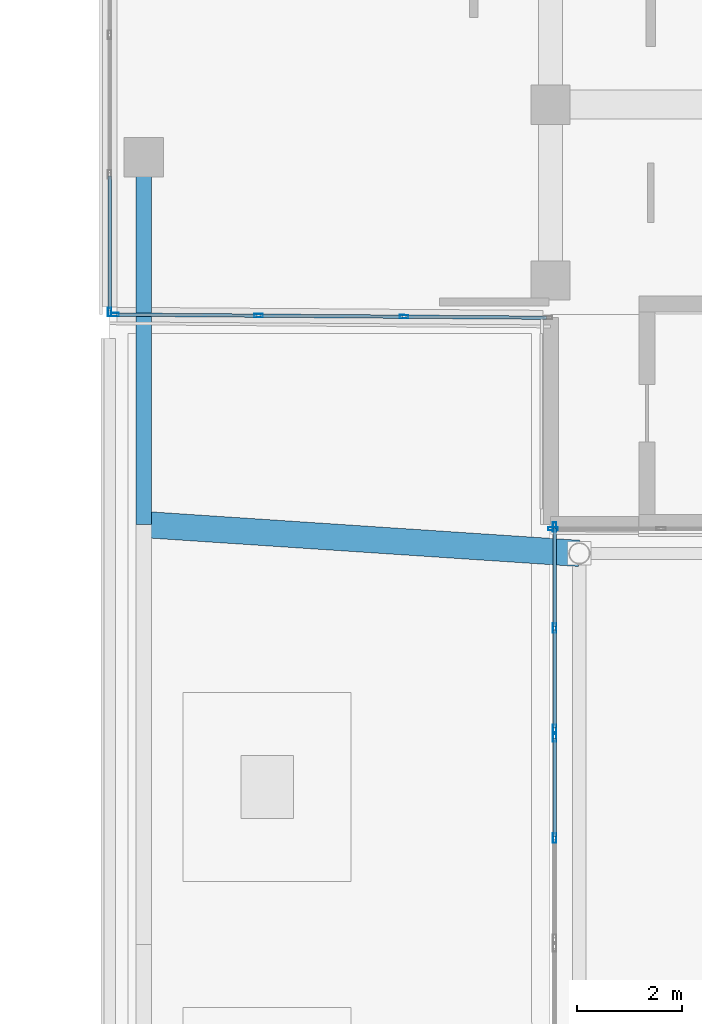
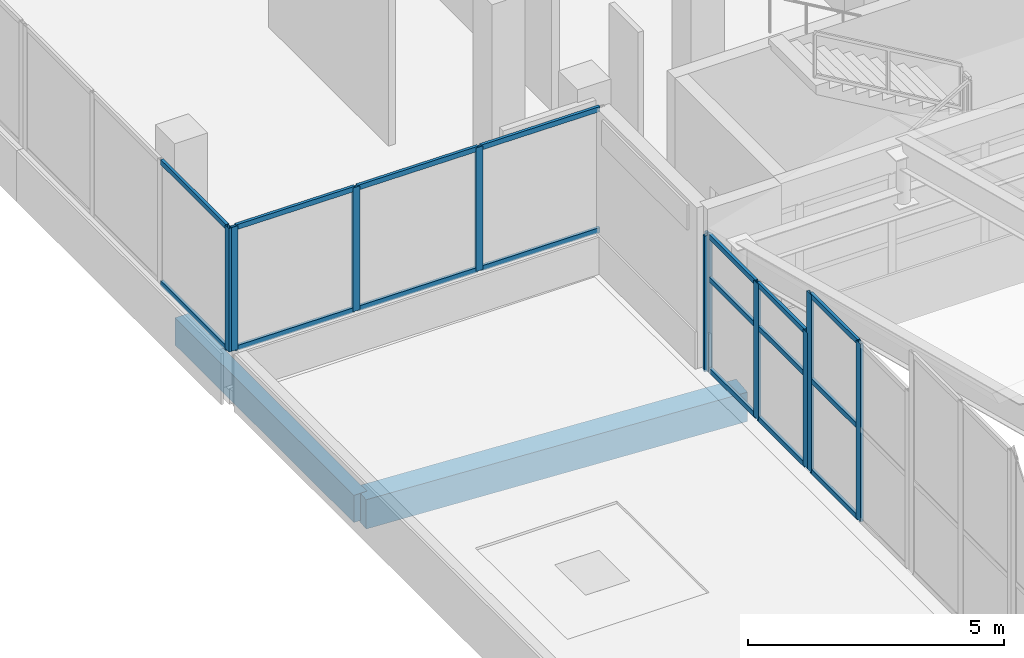
# One storey, part 75 of 184: 27 members, 2 beams, 5 elements without a shape of their own.
"""IFC4 building model written with IfcOpenShell, lengths in metres."""

import ifcopenshell
import ifcopenshell.guid

model = None  # the IFC model being written
_history = None  # IfcOwnerHistory: only IFC2X3 demands one
_inside = {}  # id of a spatial element -> (the spatial element, [elements in it])
_under = {}  # id of a project, library or spatial element -> (it, [spatial elements below it])
_declared = {}  # id of a project -> (the project, [libraries it declares])
_typed = {}  # id of a type object -> (the type object, [elements of that type])
_made_of = {}  # id of a material, layer set ... -> (it, [elements and type objects made of it])


def new_model(schema):
    """Start an empty IFC model of exactly this schema.

    Asked for "IFC4X3", IfcOpenShell would pick the latest addendum, in which some entities
    have other attributes; the version numbers below select the first issue.
    IFC2X3 requires an IfcOwnerHistory on every rooted entity: one is made here for all.
    """
    global model, _history
    if schema == "IFC4X3":
        model = ifcopenshell.file(schema_version=(4, 3, 0, 0))
    else:
        model = ifcopenshell.file(schema=schema)
    _inside.clear()
    _under.clear()
    _declared.clear()
    _typed.clear()
    _made_of.clear()
    _history = None
    if model.schema == "IFC2X3":
        org = make("IfcOrganization", Name="unknown")
        user = make(
            "IfcPersonAndOrganization",
            ThePerson=make("IfcPerson", FamilyName="unknown"),
            TheOrganization=org,
        )
        app = make(
            "IfcApplication",
            ApplicationDeveloper=org,
            Version="unknown",
            ApplicationFullName="unknown",
            ApplicationIdentifier="unknown",
        )
        _history = make(
            "IfcOwnerHistory",
            OwningUser=user,
            OwningApplication=app,
            ChangeAction="ADDED",
            CreationDate=0,
        )
    return model


def make(cls, **values):
    """One entity of the class cls with the attributes given. An attribute that is None is left unset."""
    return model.create_entity(
        cls, **{name: value for name, value in values.items() if value is not None}
    )


def rooted(cls, **values):
    """An entity with a GlobalId (a new one), such as an element, a storey or a relation."""
    return make(cls, GlobalId=ifcopenshell.guid.new(), OwnerHistory=_history, **values)


def si_unit(unit_type, name, prefix=None):
    """IfcSIUnit, for example si_unit("LENGTHUNIT", "METRE", prefix="MILLI")."""
    return make("IfcSIUnit", UnitType=unit_type, Prefix=prefix, Name=name)


def assignment(units):
    """IfcUnitAssignment: the units of a project."""
    return None if units is None else make("IfcUnitAssignment", Units=units)


def point(xyz):
    """IfcCartesianPoint."""
    return None if xyz is None else make("IfcCartesianPoint", Coordinates=xyz)


def direction(xyz):
    """IfcDirection."""
    return None if xyz is None else make("IfcDirection", DirectionRatios=xyz)


def frame(location, z_axis=None, x_axis=None):
    """IfcAxis2Placement3D, a coordinate frame: its origin and axes. An axis left out is left unset."""
    return make(
        "IfcAxis2Placement3D",
        Location=point(location),
        Axis=direction(z_axis),
        RefDirection=direction(x_axis),
    )


def frame_2d(location, x_axis=None):
    """IfcAxis2Placement2D, a coordinate frame in the plane: its origin and x axis."""
    return make(
        "IfcAxis2Placement2D", Location=point(location), RefDirection=direction(x_axis)
    )


def origin():
    """The frame at (0, 0, 0) with its axes left unset."""
    return frame((0.0, 0.0, 0.0))


def origin_2d():
    """The frame at (0, 0) in the plane with its x axis left unset."""
    return frame_2d((0.0, 0.0))


def place(relative_to, where):
    """IfcLocalPlacement: puts the frame where relative to a parent placement (None: the world)."""
    return make(
        "IfcLocalPlacement", PlacementRelTo=relative_to, RelativePlacement=where
    )


def context(
    kind, dimensions, precision=None, world=None, true_north=None, identifier=None
):
    """IfcGeometricRepresentationContext, for example the 3D "Model" context."""
    return make(
        "IfcGeometricRepresentationContext",
        ContextIdentifier=identifier,
        ContextType=kind,
        CoordinateSpaceDimension=dimensions,
        Precision=precision,
        WorldCoordinateSystem=world,
        TrueNorth=true_north,
    )


def subcontext(parent, identifier, kind, view, scale=None):
    """IfcGeometricRepresentationSubContext, for example "Body" below "Model"."""
    return make(
        "IfcGeometricRepresentationSubContext",
        ContextIdentifier=identifier,
        ContextType=kind,
        ParentContext=parent,
        TargetScale=scale,
        TargetView=view,
    )


def project(units=None, contexts=None):
    """IfcProject with its units and contexts."""
    return rooted(
        "IfcProject",
        Name="project",
        RepresentationContexts=contexts,
        UnitsInContext=assignment(units),
    )


def spatial(cls, under=None, at=None, **own):
    """A site, building, storey or space (cls), placed at a placement, below another one or the project."""
    s = rooted(cls, ObjectPlacement=at, **own)
    if under is not None:
        _under.setdefault(under.id(), (under, []))[1].append(s)
    return s


def profile(cls, at=None, kind="AREA", **sizes):
    """A parametric profile (cls). Its sizes go by their IFC names, for example OverallWidth=200.0."""
    return make(cls, ProfileType=kind, Position=at, **sizes)


def rectangle(**sizes):
    """IfcRectangleProfileDef."""
    return profile("IfcRectangleProfileDef", **sizes)


def hollow_rectangle(**sizes):
    """IfcRectangleHollowProfileDef."""
    return profile("IfcRectangleHollowProfileDef", **sizes)


def extrude(swept, where, along, depth):
    """IfcExtrudedAreaSolid: the profile swept, set in the frame where, extruded along a direction by depth."""
    return make(
        "IfcExtrudedAreaSolid",
        SweptArea=swept,
        Position=where,
        ExtrudedDirection=direction(along),
        Depth=depth,
    )


def shape(context_of_items, identifier, shape_type, items):
    """IfcShapeRepresentation: the items that make up one representation, for example the "Body"."""
    return make(
        "IfcShapeRepresentation",
        ContextOfItems=context_of_items,
        RepresentationIdentifier=identifier,
        RepresentationType=shape_type,
        Items=items,
    )


def material(Name=None, Category=None):
    """IfcMaterial."""
    return make("IfcMaterial", Name=Name, Category=Category)


def material_profile(
    of_material, cross_section, Name=None, Category=None, Priority=None
):
    """IfcMaterialProfile: a cross section and its material."""
    return make(
        "IfcMaterialProfile",
        Name=Name,
        Material=of_material,
        Profile=cross_section,
        Priority=Priority,
        Category=Category,
    )


def profile_set(profiles, Name=None, composite=None):
    """IfcMaterialProfileSet."""
    return make(
        "IfcMaterialProfileSet",
        Name=Name,
        MaterialProfiles=profiles,
        CompositeProfile=composite,
    )


def made_of(thing, what):
    """Note that an element or type object is made of a material, layer set ...; save() writes the relation."""
    if what is not None:
        _made_of.setdefault(what.id(), (what, []))[1].append(thing)
    return thing


def type_object(cls, material=None, **own):
    """A type object (cls), such as IfcWallType, which elements share."""
    return made_of(rooted(cls, **own), material)


def element(
    cls,
    number,
    at=None,
    inside=None,
    cuts=None,
    type_object=None,
    material=None,
    context=None,
    identifier="Body",
    shape_type=None,
    held_by="IfcProductDefinitionShape",
    body=None,
    shapes=None,
    **own,
):
    """One element of the class cls, such as IfcWall. Its Tag is "e" and its number.

    at: its placement. inside: the storey or other place that contains it. cuts: it is an
    opening in that element (IfcRelVoidsElement). A single representation is given by context,
    identifier, shape_type and body (its items); several are given by shapes. held_by: the class
    of the entity that holds the representations. save() writes the other relations.
    """
    e = rooted(cls, Tag="e%d" % number, ObjectPlacement=at, **own)
    if body is not None:
        shapes = [shape(context, identifier, shape_type, body)]
    if shapes is not None:
        e.Representation = make(held_by, Representations=shapes)
    if inside is not None:
        _inside.setdefault(inside.id(), (inside, []))[1].append(e)
    if cuts is not None:
        rooted(
            "IfcRelVoidsElement", RelatingBuildingElement=cuts, RelatedOpeningElement=e
        )
    if type_object is not None:
        _typed.setdefault(type_object.id(), (type_object, []))[1].append(e)
    return made_of(e, material)


def aggregate(whole, parts):
    """IfcRelAggregates: a whole, such as a stair, and the parts it consists of."""
    return rooted("IfcRelAggregates", RelatingObject=whole, RelatedObjects=parts)


def save(model, path):
    """Write the relations noted so far, then the file.

    IfcRelAggregates (storeys below a building ...), IfcRelContainedInSpatialStructure (elements
    in a storey), IfcRelDefinesByType, IfcRelAssociatesMaterial and IfcRelDeclares: one each for
    every whole, place, type object, material and project.
    """
    for whole, parts in _under.values():
        aggregate(whole, parts)
    for where, things in _inside.values():
        rooted(
            "IfcRelContainedInSpatialStructure",
            RelatedElements=things,
            RelatingStructure=where,
        )
    for kind, things in _typed.values():
        rooted("IfcRelDefinesByType", RelatedObjects=things, RelatingType=kind)
    for what, things in _made_of.values():
        rooted("IfcRelAssociatesMaterial", RelatedObjects=things, RelatingMaterial=what)
    for by, libraries in _declared.values():
        rooted("IfcRelDeclares", RelatingContext=by, RelatedDefinitions=libraries)
    model.write(path)


model = new_model("IFC4")

# Units and contexts
model_context = context("Model", 3, precision=1e-05, world=origin(), true_north=direction((0.0, 1.0)))
body_context = subcontext(model_context, "Body", "Model", "MODEL_VIEW")
ifc_project = project(units=[si_unit("LENGTHUNIT", "METRE"), si_unit("AREAUNIT", "SQUARE_METRE"), si_unit("VOLUMEUNIT", "CUBIC_METRE"), si_unit("PLANEANGLEUNIT", "RADIAN"), si_unit("MASSUNIT", "GRAM", prefix="KILO")], contexts=[model_context])

# Site, building, storey
site_placement = place(None, origin())
site = spatial("IfcSite", under=ifc_project, at=site_placement, CompositionType="ELEMENT")
building_placement = place(site_placement, origin())
building = spatial("IfcBuilding", under=site, at=building_placement, Name="Selatvlak General Hospital", CompositionType="ELEMENT")
storey_placement = place(building_placement, frame((0.0, 0.0, 15.0)))
storey = spatial("IfcBuildingStorey", under=building, at=storey_placement, Name="L03", CompositionType="ELEMENT", Elevation=15.0)

# Beams
ifc_material_1 = material(Name="Concrete C40/50", Category="concrete")
ifc_material_profile_1 = material_profile(ifc_material_1, rectangle(XDim=0.5, YDim=0.699951171875, at=origin_2d()), Name="RC-BM 500x700")
ifc_profile_set_1 = profile_set([ifc_material_profile_1], Name="Concrete C40/50")
beam_type_1 = type_object("IfcBeamType", Name="BM-G03", PredefinedType="BEAM", material=ifc_profile_set_1)
beam_1_placement = place(storey_placement, frame((15.050048828125, 84.0, -0.610107421875), z_axis=(0.997811313434, -0.066125507814, 0.0), x_axis=(0.066125507814, 0.997811313434, 0.0)))
element("IfcBeam", 1, at=beam_1_placement, inside=storey, type_object=beam_type_1, Name="Beam BMR-L03-2911", PredefinedType="BEAM", context=body_context, shape_type="SweptSolid", body=[
    extrude(rectangle(XDim=0.5, YDim=0.699951171875, at=origin_2d()), origin(), (0.0, 0.0, 1.0), 8.318359375),
])
ifc_material_profile_2 = material_profile(ifc_material_1, rectangle(XDim=0.300048828125, YDim=0.64990234375, at=origin_2d()), Name="RC-SP 300x650")
ifc_profile_set_2 = profile_set([ifc_material_profile_2], Name="Concrete C40/50")
beam_type_2 = type_object("IfcBeamType", Name="BM-SP1", PredefinedType="SPANDREL", material=ifc_profile_set_2)
beam_2_placement = place(storey_placement, frame((15.050048828125, 84.0, -0.5849609375), z_axis=(0.0, 1.0, 0.0), x_axis=(-1.0, 0.0, 0.0)))
element("IfcBeam", 2, at=beam_2_placement, inside=storey, type_object=beam_type_2, Name="Beam BMR-L03-1295", PredefinedType="SPANDREL", context=body_context, shape_type="SweptSolid", body=[
    extrude(rectangle(XDim=0.300048828125, YDim=0.64990234375, at=origin_2d()), origin(), (0.0, 0.0, 1.0), 7.0),
])

# Curtain wall, member
ifc_material_2 = material(Name="Solar-control Low-E double glazing", Category="glass")
curtain_wall_type_1 = type_object("IfcCurtainWallType", Name="CW-CW-01", PredefinedType="USERDEFINED", material=ifc_material_2)
curtain_wall_1_placement = place(storey_placement, origin())
curtain_wall_1 = element("IfcCurtainWall", 3, at=curtain_wall_1_placement, inside=storey, type_object=curtain_wall_type_1, Name="Glazed facade curtain wall CW-L03-0360", ObjectType="UNITISED CURTAIN WALL", PredefinedType="USERDEFINED")
ifc_material_3 = material(Name="Dark anodised aluminium mullion", Category="aluminium")
ifc_material_profile_3 = material_profile(ifc_material_3, hollow_rectangle(XDim=0.06494140625, YDim=0.159912109375, WallThickness=0.00390625, at=origin_2d()), Name="AL-MUL 65x160x4")
ifc_profile_set_3 = profile_set([ifc_material_profile_3], Name="Dark anodised aluminium mullion")
member_type_1 = type_object("IfcMemberType", Name="CWM-01", PredefinedType="MULLION", material=ifc_profile_set_3)
member_1_placement = place(storey_placement, frame((14.39990234375, 88.047607421875, 0.93994140625), z_axis=(0.0, 0.0, 1.0), x_axis=(-1.0, 0.0, 0.0)))
member_1 = element("IfcMember", 4, at=member_1_placement, type_object=member_type_1, Name="CW-01 mullion 1", PredefinedType="MULLION", context=body_context, shape_type="SweptSolid", body=[
    extrude(hollow_rectangle(XDim=0.06494140625, YDim=0.159912109375, WallThickness=0.00390625, at=origin_2d()), origin(), (0.0, 0.0, 1.0), 2.955078125),
])

# Curtain wall, members
curtain_wall_2_placement = place(storey_placement, origin())
curtain_wall_2 = element("IfcCurtainWall", 5, at=curtain_wall_2_placement, inside=storey, type_object=curtain_wall_type_1, Name="Glazed facade curtain wall CW-L03-0475", ObjectType="UNITISED CURTAIN WALL", PredefinedType="USERDEFINED")
member_2_placement = place(storey_placement, frame((20.01171875, 87.9599609375, 0.93994140625), z_axis=(0.0, 0.0, 1.0), x_axis=(-0.007211350946, -0.999973997871, 0.0)))
member_2 = element("IfcMember", 6, at=member_2_placement, type_object=member_type_1, Name="CW-01 mullion 2", PredefinedType="MULLION", context=body_context, shape_type="SweptSolid", body=[
    extrude(hollow_rectangle(XDim=0.06494140625, YDim=0.159912109375, WallThickness=0.00390625, at=origin_2d()), origin(), (0.0, 0.0, 1.0), 2.955078125),
])
member_3_placement = place(storey_placement, frame((17.23828125, 87.97998046875, 0.93994140625), z_axis=(0.0, 0.0, 1.0), x_axis=(-0.007211350946, -0.999973997871, 0.0)))
member_3 = element("IfcMember", 7, at=member_3_placement, type_object=member_type_1, Name="CW-01 mullion 3", PredefinedType="MULLION", context=body_context, shape_type="SweptSolid", body=[
    extrude(hollow_rectangle(XDim=0.06494140625, YDim=0.159912109375, WallThickness=0.00390625, at=origin_2d()), origin(), (0.0, 0.0, 1.0), 2.955078125),
])
member_4_placement = place(storey_placement, frame((14.49755859375, 87.999755859375, 0.93994140625), z_axis=(0.0, 0.0, 1.0), x_axis=(-0.007211350946, -0.999973997871, 0.0)))
member_4 = element("IfcMember", 8, at=member_4_placement, type_object=member_type_1, Name="CW-01 mullion 4", PredefinedType="MULLION", context=body_context, shape_type="SweptSolid", body=[
    extrude(hollow_rectangle(XDim=0.06494140625, YDim=0.159912109375, WallThickness=0.00390625, at=origin_2d()), origin(), (0.0, 0.0, 1.0), 2.955078125),
])

# Curtain wall, member
curtain_wall_type_2 = type_object("IfcCurtainWallType", Name="CW-CW-04", PredefinedType="USERDEFINED", material=ifc_material_2)
curtain_wall_3_placement = place(storey_placement, origin())
curtain_wall_3 = element("IfcCurtainWall", 9, at=curtain_wall_3_placement, inside=storey, type_object=curtain_wall_type_2, Name="Glazed facade curtain wall CW-L03-0716", ObjectType="STICK GLAZING WALL", PredefinedType="USERDEFINED")
ifc_material_profile_4 = material_profile(ifc_material_3, hollow_rectangle(XDim=0.06494140625, YDim=0.179931640625, WallThickness=0.00439453125, at=origin_2d()), Name="AL-MUL 65x180x4.5")
ifc_profile_set_4 = profile_set([ifc_material_profile_4], Name="Dark anodised aluminium mullion")
member_type_2 = type_object("IfcMemberType", Name="CWM-02", PredefinedType="MULLION", material=ifc_profile_set_4)
member_5_placement = place(storey_placement, frame((22.847412109375, 83.919921875, 0.0), z_axis=(0.0, 0.0, 1.0), x_axis=(0.0, 1.0, 0.0)))
member_5 = element("IfcMember", 10, at=member_5_placement, type_object=member_type_2, Name="CW-04 mullion 1", PredefinedType="MULLION", context=body_context, shape_type="SweptSolid", body=[
    extrude(hollow_rectangle(XDim=0.06494140625, YDim=0.179931640625, WallThickness=0.00439453125, at=origin_2d()), origin(), (0.0, 0.0, 1.0), 3.25),
])
aggregate(curtain_wall_3, [member_5])

# Curtain wall, members
curtain_wall_type_3 = type_object("IfcCurtainWallType", Name="CW-CW-05", PredefinedType="USERDEFINED", material=ifc_material_2)
curtain_wall_4_placement = place(storey_placement, origin())
curtain_wall_4 = element("IfcCurtainWall", 11, at=curtain_wall_4_placement, inside=storey, type_object=curtain_wall_type_3, Name="Glazed facade curtain wall CW-L03-0728", ObjectType="STICK GLAZING WALL", PredefinedType="USERDEFINED")
member_6_placement = place(storey_placement, frame((22.8798828125, 78.02490234375, 0.0), z_axis=(0.0, 0.0, 1.0), x_axis=(-1.0, 0.0, 0.0)))
member_6 = element("IfcMember", 12, at=member_6_placement, type_object=member_type_2, Name="CW-05 mullion 2", PredefinedType="MULLION", context=body_context, shape_type="SweptSolid", body=[
    extrude(hollow_rectangle(XDim=0.06494140625, YDim=0.179931640625, WallThickness=0.00439453125, at=origin_2d()), origin(), (0.0, 0.0, 1.0), 4.25),
])
member_7_placement = place(storey_placement, frame((22.8798828125, 79.952392578125, 0.0), z_axis=(0.0, 0.0, 1.0), x_axis=(-1.0, 0.0, 0.0)))
member_7 = element("IfcMember", 13, at=member_7_placement, type_object=member_type_2, Name="CW-05 mullion 3", PredefinedType="MULLION", context=body_context, shape_type="SweptSolid", body=[
    extrude(hollow_rectangle(XDim=0.06494140625, YDim=0.179931640625, WallThickness=0.00439453125, at=origin_2d()), origin(), (0.0, 0.0, 1.0), 4.25),
])

curtain_wall_5_placement = place(storey_placement, origin())
curtain_wall_5 = element("IfcCurtainWall", 14, at=curtain_wall_5_placement, inside=storey, type_object=curtain_wall_type_3, Name="Glazed facade curtain wall CW-L03-0729", ObjectType="STICK GLAZING WALL", PredefinedType="USERDEFINED")
member_8_placement = place(storey_placement, frame((22.8798828125, 80.097412109375, 0.0), z_axis=(0.0, 0.0, 1.0), x_axis=(-1.0, 0.0, 0.0)))
member_8 = element("IfcMember", 15, at=member_8_placement, type_object=member_type_2, Name="CW-05 mullion 1", PredefinedType="MULLION", context=body_context, shape_type="SweptSolid", body=[
    extrude(hollow_rectangle(XDim=0.06494140625, YDim=0.179931640625, WallThickness=0.00439453125, at=origin_2d()), origin(), (0.0, 0.0, 1.0), 3.25),
])
member_9_placement = place(storey_placement, frame((22.8798828125, 82.02490234375, 0.0), z_axis=(0.0, 0.0, 1.0), x_axis=(-1.0, 0.0, 0.0)))
member_9 = element("IfcMember", 16, at=member_9_placement, type_object=member_type_2, Name="CW-05 mullion 2", PredefinedType="MULLION", context=body_context, shape_type="SweptSolid", body=[
    extrude(hollow_rectangle(XDim=0.06494140625, YDim=0.179931640625, WallThickness=0.00439453125, at=origin_2d()), origin(), (0.0, 0.0, 1.0), 3.25),
])
member_10_placement = place(storey_placement, frame((22.8798828125, 83.952392578125, 0.0), z_axis=(0.0, 0.0, 1.0), x_axis=(-1.0, 0.0, 0.0)))
member_10 = element("IfcMember", 17, at=member_10_placement, type_object=member_type_2, Name="CW-05 mullion 3", PredefinedType="MULLION", context=body_context, shape_type="SweptSolid", body=[
    extrude(hollow_rectangle(XDim=0.06494140625, YDim=0.179931640625, WallThickness=0.00439453125, at=origin_2d()), origin(), (0.0, 0.0, 1.0), 3.25),
])

# Member
ifc_material_profile_5 = material_profile(ifc_material_3, hollow_rectangle(XDim=0.06494140625, YDim=0.1201171875, WallThickness=0.00390625, at=origin_2d()), Name="AL-TRN 65x120x4")
ifc_profile_set_5 = profile_set([ifc_material_profile_5], Name="Dark anodised aluminium mullion")
member_type_3 = type_object("IfcMemberType", Name="CWT-01", PredefinedType="USERDEFINED", material=ifc_profile_set_5)
member_11_placement = place(storey_placement, frame((14.39990234375, 88.080078125, 0.972412109375), z_axis=(0.0, 1.0, 0.0), x_axis=(-1.0, 0.0, 0.0)))
member_11 = element("IfcMember", 18, at=member_11_placement, type_object=member_type_3, Name="CW-01 transom 1.1", ObjectType="TRANSOM", PredefinedType="USERDEFINED", context=body_context, shape_type="SweptSolid", body=[
    extrude(hollow_rectangle(XDim=0.06494140625, YDim=0.1201171875, WallThickness=0.00390625, at=origin_2d()), origin(), (0.0, 0.0, 1.0), 2.55908203125),
])

member_12_placement = place(storey_placement, frame((14.39990234375, 88.080078125, 3.862548828125), z_axis=(0.0, 1.0, 0.0), x_axis=(-1.0, 0.0, 0.0)))
member_12 = element("IfcMember", 19, at=member_12_placement, type_object=member_type_3, Name="CW-01 transom 1.2", ObjectType="TRANSOM", PredefinedType="USERDEFINED", context=body_context, shape_type="SweptSolid", body=[
    extrude(hollow_rectangle(XDim=0.06494140625, YDim=0.1201171875, WallThickness=0.00390625, at=origin_2d()), origin(), (0.0, 0.0, 1.0), 2.55908203125),
])

aggregate(curtain_wall_1, [member_1, member_11, member_12])

member_13_placement = place(storey_placement, frame((22.719970703125, 87.9404296875, 0.972412109375), z_axis=(-0.99997402317, 0.007207841955, 0.0), x_axis=(-0.007207841955, -0.99997402317, 0.0)))
member_13 = element("IfcMember", 20, at=member_13_placement, type_object=member_type_3, Name="CW-01 transom 1.1", ObjectType="TRANSOM", PredefinedType="USERDEFINED", context=body_context, shape_type="SweptSolid", body=[
    extrude(hollow_rectangle(XDim=0.06494140625, YDim=0.1201171875, WallThickness=0.00390625, at=origin_2d()), origin(), (0.0, 0.0, 1.0), 2.67578125),
])

member_14_placement = place(storey_placement, frame((22.719970703125, 87.9404296875, 3.862548828125), z_axis=(-0.99997402317, 0.007207841955, 0.0), x_axis=(-0.007207841955, -0.99997402317, 0.0)))
member_14 = element("IfcMember", 21, at=member_14_placement, type_object=member_type_3, Name="CW-01 transom 1.2", ObjectType="TRANSOM", PredefinedType="USERDEFINED", context=body_context, shape_type="SweptSolid", body=[
    extrude(hollow_rectangle(XDim=0.06494140625, YDim=0.1201171875, WallThickness=0.00390625, at=origin_2d()), origin(), (0.0, 0.0, 1.0), 2.67578125),
])

member_15_placement = place(storey_placement, frame((19.979248046875, 87.960205078125, 0.972412109375), z_axis=(-0.999974000996, 0.00721091762, 0.0), x_axis=(-0.00721091762, -0.999974000996, 0.0)))
member_15 = element("IfcMember", 22, at=member_15_placement, type_object=member_type_3, Name="CW-01 transom 2.1", ObjectType="TRANSOM", PredefinedType="USERDEFINED", context=body_context, shape_type="SweptSolid", body=[
    extrude(hollow_rectangle(XDim=0.06494140625, YDim=0.1201171875, WallThickness=0.00390625, at=origin_2d()), origin(), (0.0, 0.0, 1.0), 2.70849609375),
])

member_16_placement = place(storey_placement, frame((19.979248046875, 87.960205078125, 3.862548828125), z_axis=(-0.999974000996, 0.00721091762, 0.0), x_axis=(-0.00721091762, -0.999974000996, 0.0)))
member_16 = element("IfcMember", 23, at=member_16_placement, type_object=member_type_3, Name="CW-01 transom 2.2", ObjectType="TRANSOM", PredefinedType="USERDEFINED", context=body_context, shape_type="SweptSolid", body=[
    extrude(hollow_rectangle(XDim=0.06494140625, YDim=0.1201171875, WallThickness=0.00390625, at=origin_2d()), origin(), (0.0, 0.0, 1.0), 2.70849609375),
])

member_17_placement = place(storey_placement, frame((17.205810546875, 87.980224609375, 0.972412109375), z_axis=(-0.99997402317, 0.007207841955, 0.0), x_axis=(-0.007207841955, -0.99997402317, 0.0)))
member_17 = element("IfcMember", 24, at=member_17_placement, type_object=member_type_3, Name="CW-01 transom 3.1", ObjectType="TRANSOM", PredefinedType="USERDEFINED", context=body_context, shape_type="SweptSolid", body=[
    extrude(hollow_rectangle(XDim=0.06494140625, YDim=0.1201171875, WallThickness=0.00390625, at=origin_2d()), origin(), (0.0, 0.0, 1.0), 2.67578125),
])

member_18_placement = place(storey_placement, frame((17.205810546875, 87.980224609375, 3.862548828125), z_axis=(-0.99997402317, 0.007207841955, 0.0), x_axis=(-0.007207841955, -0.99997402317, 0.0)))
member_18 = element("IfcMember", 25, at=member_18_placement, type_object=member_type_3, Name="CW-01 transom 3.2", ObjectType="TRANSOM", PredefinedType="USERDEFINED", context=body_context, shape_type="SweptSolid", body=[
    extrude(hollow_rectangle(XDim=0.06494140625, YDim=0.1201171875, WallThickness=0.00390625, at=origin_2d()), origin(), (0.0, 0.0, 1.0), 2.67578125),
])

aggregate(curtain_wall_2, [member_2, member_3, member_4, member_13, member_14, member_15, member_16, member_17, member_18])

member_19_placement = place(storey_placement, frame((22.8798828125, 78.0576171875, 0.032470703125), z_axis=(0.0, 1.0, 0.0), x_axis=(-1.0, 0.0, 0.0)))
member_19 = element("IfcMember", 26, at=member_19_placement, type_object=member_type_3, Name="CW-05 transom 2.1", ObjectType="TRANSOM", PredefinedType="USERDEFINED", context=body_context, shape_type="SweptSolid", body=[
    extrude(hollow_rectangle(XDim=0.06494140625, YDim=0.1201171875, WallThickness=0.00390625, at=origin_2d()), origin(), (0.0, 0.0, 1.0), 1.8623046875),
])

member_20_placement = place(storey_placement, frame((22.8798828125, 78.0576171875, 2.199951171875), z_axis=(0.0, 1.0, 0.0), x_axis=(-1.0, 0.0, 0.0)))
member_20 = element("IfcMember", 27, at=member_20_placement, type_object=member_type_3, Name="CW-05 transom 2.2", ObjectType="TRANSOM", PredefinedType="USERDEFINED", context=body_context, shape_type="SweptSolid", body=[
    extrude(hollow_rectangle(XDim=0.06494140625, YDim=0.1201171875, WallThickness=0.00390625, at=origin_2d()), origin(), (0.0, 0.0, 1.0), 1.8623046875),
])

member_21_placement = place(storey_placement, frame((22.8798828125, 78.0576171875, 4.217529296875), z_axis=(0.0, 1.0, 0.0), x_axis=(-1.0, 0.0, 0.0)))
member_21 = element("IfcMember", 28, at=member_21_placement, type_object=member_type_3, Name="CW-05 transom 2.3", ObjectType="TRANSOM", PredefinedType="USERDEFINED", context=body_context, shape_type="SweptSolid", body=[
    extrude(hollow_rectangle(XDim=0.06494140625, YDim=0.1201171875, WallThickness=0.00390625, at=origin_2d()), origin(), (0.0, 0.0, 1.0), 1.8623046875),
])

aggregate(curtain_wall_4, [member_6, member_7, member_19, member_20, member_21])

member_22_placement = place(storey_placement, frame((22.8798828125, 80.1298828125, 0.032470703125), z_axis=(0.0, 1.0, 0.0), x_axis=(-1.0, 0.0, 0.0)))
member_22 = element("IfcMember", 29, at=member_22_placement, type_object=member_type_3, Name="CW-05 transom 1.1", ObjectType="TRANSOM", PredefinedType="USERDEFINED", context=body_context, shape_type="SweptSolid", body=[
    extrude(hollow_rectangle(XDim=0.06494140625, YDim=0.1201171875, WallThickness=0.00390625, at=origin_2d()), origin(), (0.0, 0.0, 1.0), 1.862548828125),
])

member_23_placement = place(storey_placement, frame((22.8798828125, 80.1298828125, 2.199951171875), z_axis=(0.0, 1.0, 0.0), x_axis=(-1.0, 0.0, 0.0)))
member_23 = element("IfcMember", 30, at=member_23_placement, type_object=member_type_3, Name="CW-05 transom 1.2", ObjectType="TRANSOM", PredefinedType="USERDEFINED", context=body_context, shape_type="SweptSolid", body=[
    extrude(hollow_rectangle(XDim=0.06494140625, YDim=0.1201171875, WallThickness=0.00390625, at=origin_2d()), origin(), (0.0, 0.0, 1.0), 1.862548828125),
])

member_24_placement = place(storey_placement, frame((22.8798828125, 80.1298828125, 3.217529296875), z_axis=(0.0, 1.0, 0.0), x_axis=(-1.0, 0.0, 0.0)))
member_24 = element("IfcMember", 31, at=member_24_placement, type_object=member_type_3, Name="CW-05 transom 1.3", ObjectType="TRANSOM", PredefinedType="USERDEFINED", context=body_context, shape_type="SweptSolid", body=[
    extrude(hollow_rectangle(XDim=0.06494140625, YDim=0.1201171875, WallThickness=0.00390625, at=origin_2d()), origin(), (0.0, 0.0, 1.0), 1.862548828125),
])

member_25_placement = place(storey_placement, frame((22.8798828125, 82.0576171875, 0.032470703125), z_axis=(0.0, 1.0, 0.0), x_axis=(-1.0, 0.0, 0.0)))
member_25 = element("IfcMember", 32, at=member_25_placement, type_object=member_type_3, Name="CW-05 transom 2.1", ObjectType="TRANSOM", PredefinedType="USERDEFINED", context=body_context, shape_type="SweptSolid", body=[
    extrude(hollow_rectangle(XDim=0.06494140625, YDim=0.1201171875, WallThickness=0.00390625, at=origin_2d()), origin(), (0.0, 0.0, 1.0), 1.8623046875),
])

member_26_placement = place(storey_placement, frame((22.8798828125, 82.0576171875, 2.199951171875), z_axis=(0.0, 1.0, 0.0), x_axis=(-1.0, 0.0, 0.0)))
member_26 = element("IfcMember", 33, at=member_26_placement, type_object=member_type_3, Name="CW-05 transom 2.2", ObjectType="TRANSOM", PredefinedType="USERDEFINED", context=body_context, shape_type="SweptSolid", body=[
    extrude(hollow_rectangle(XDim=0.06494140625, YDim=0.1201171875, WallThickness=0.00390625, at=origin_2d()), origin(), (0.0, 0.0, 1.0), 1.8623046875),
])

member_27_placement = place(storey_placement, frame((22.8798828125, 82.0576171875, 3.217529296875), z_axis=(0.0, 1.0, 0.0), x_axis=(-1.0, 0.0, 0.0)))
member_27 = element("IfcMember", 34, at=member_27_placement, type_object=member_type_3, Name="CW-05 transom 2.3", ObjectType="TRANSOM", PredefinedType="USERDEFINED", context=body_context, shape_type="SweptSolid", body=[
    extrude(hollow_rectangle(XDim=0.06494140625, YDim=0.1201171875, WallThickness=0.00390625, at=origin_2d()), origin(), (0.0, 0.0, 1.0), 1.8623046875),
])

aggregate(curtain_wall_5, [member_8, member_9, member_10, member_22, member_23, member_24, member_25, member_26, member_27])

save(model, "model.ifc")
